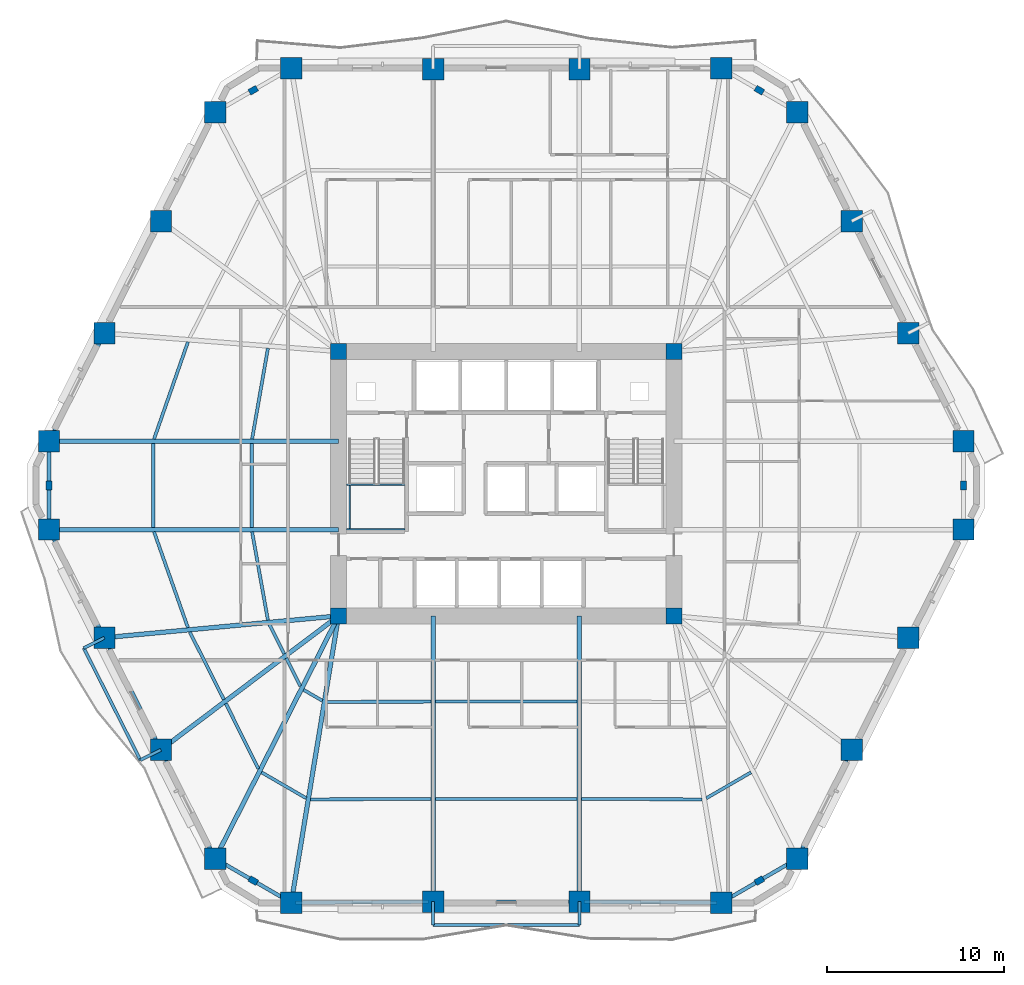
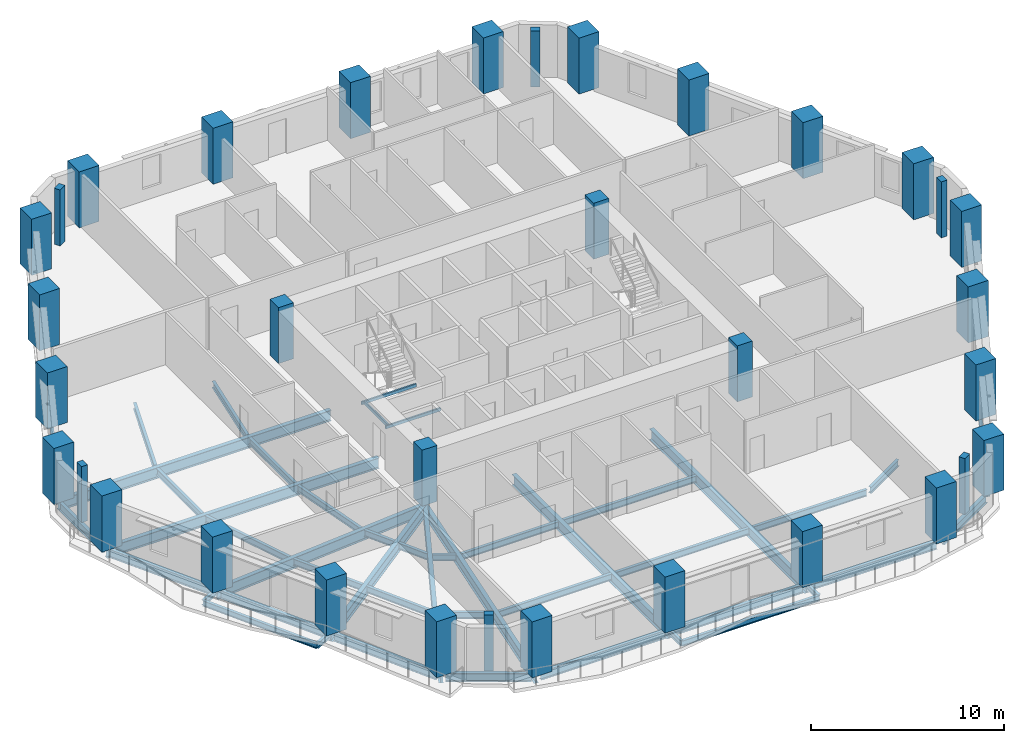
# One storey, part 1 of 13: 46 beams, 34 columns.
"""IFC4 building model written with IfcOpenShell, lengths in metres."""

from ifc_helpers import new_model, si_unit, direction, frame, origin, origin_2d, place, context, subcontext, project, spatial, rectangle, hollow_rectangle, i_section, extrude, material, material_profile, profile_set, type_object, element, save


model = new_model("IFC4")

# Units and contexts
model_context = context("Model", 3, precision=1e-05, world=origin(), true_north=direction((0.0, 1.0)))
body_context = subcontext(model_context, "Body", "Model", "MODEL_VIEW")
ifc_project = project(units=[si_unit("LENGTHUNIT", "METRE"), si_unit("AREAUNIT", "SQUARE_METRE"), si_unit("VOLUMEUNIT", "CUBIC_METRE"), si_unit("PLANEANGLEUNIT", "RADIAN"), si_unit("MASSUNIT", "GRAM", prefix="KILO")], contexts=[model_context])

# Site, building, storey
site_placement = place(None, origin())
site = spatial("IfcSite", under=ifc_project, at=site_placement, CompositionType="ELEMENT")
building_placement = place(site_placement, origin())
building = spatial("IfcBuilding", under=site, at=building_placement, Name="Cinnabar Lancet Tower", CompositionType="ELEMENT")
storey_placement = place(building_placement, frame((0.0, 0.0, 63.949951171875)))
storey = spatial("IfcBuildingStorey", under=building, at=storey_placement, Name="L16", CompositionType="ELEMENT", Elevation=63.949951171875)

# Columns
ifc_material_1 = material(Name="Concrete C80/95", Category="concrete")
ifc_material_profile_1 = material_profile(ifc_material_1, rectangle(XDim=0.89990234375, YDim=0.89990234375, at=origin_2d()), Name="RC-COL 900x900")
ifc_profile_set_1 = profile_set([ifc_material_profile_1], Name="Concrete C80/95")
column_type_1 = type_object("IfcColumnType", Name="STR-COL-CORE-900", PredefinedType="COLUMN", material=ifc_profile_set_1)
for number, where, z_axis, x_axis, name in (
    (1, (22.949951171875, 18.449951171875, 0.0), (0.0, 0.0, 1.0), (1.0, 0.0, 0.0), "L16 Core Corner Column SW"),
    (2, (41.85009765625, 18.449951171875, 0.0), (0.0, 0.0, 1.0), (1.0, 0.0, 0.0), "L16 Core Corner Column SE"),
    (3, (41.85009765625, 33.35009765625, 0.0), (0.0, 0.0, 1.0), (1.0, 0.0, 0.0), "L16 Core Corner Column NE"),
    (4, (22.949951171875, 33.35009765625, 0.0), (0.0, 0.0, 1.0), (1.0, 0.0, 0.0), "L16 Core Corner Column NW"),
):
    element("IfcColumn", number, at=place(storey_placement, frame(where, z_axis=z_axis, x_axis=x_axis)), inside=storey, type_object=column_type_1, Name=name, PredefinedType="COLUMN", context=body_context, shape_type="SweptSolid", body=[
        extrude(rectangle(XDim=0.89990234375, YDim=0.89990234375, at=origin_2d()), origin(), (0.0, 0.0, 1.0), 3.550048828125),
    ])
ifc_material_2 = material(Name="Concrete C60/75", Category="concrete")
ifc_material_profile_2 = material_profile(ifc_material_2, rectangle(XDim=0.5, YDim=0.35009765625, at=origin_2d()), Name="RC-PIL 500x350")
ifc_profile_set_2 = profile_set([ifc_material_profile_2], Name="Concrete C60/75")
column_type_2 = type_object("IfcColumnType", Name="STR-COL-PIL-500", PredefinedType="PILASTER", material=ifc_profile_set_2)
for number, where, z_axis, x_axis, name in (
    (5, (18.139892578125, 3.531005859375, 0.0), (0.0, 0.0, 1.0), (0.865195182343, -0.501435236546, 0.0), "L16 Chamfered Corner Pilaster 1"),
    (6, (46.659912109375, 3.531005859375, 0.0), (0.0, 0.0, 1.0), (0.865195182343, 0.501435236546, 0.0), "L16 Chamfered Corner Pilaster 2"),
    (7, (58.16796875, 25.800048828125, 0.0), (0.0, 0.0, 1.0), (0.0, 1.0, 0.0), "L16 Chamfered Corner Pilaster 3"),
    (8, (46.659912109375, 48.069091796875, 0.0), (0.0, 0.0, 1.0), (-0.865195182343, 0.501435236546, 0.0), "L16 Chamfered Corner Pilaster 4"),
    (9, (18.139892578125, 48.069091796875, 0.0), (0.0, 0.0, 1.0), (-0.865195182343, -0.501435236546, 0.0), "L16 Chamfered Corner Pilaster 5"),
    (10, (6.632080078125, 25.800048828125, 0.0), (0.0, 0.0, 1.0), (0.0, -1.0, 0.0), "L16 Chamfered Corner Pilaster 6"),
):
    element("IfcColumn", number, at=place(storey_placement, frame(where, z_axis=z_axis, x_axis=x_axis)), inside=storey, type_object=column_type_2, Name=name, PredefinedType="PILASTER", context=body_context, shape_type="SweptSolid", body=[
        extrude(rectangle(XDim=0.5, YDim=0.35009765625, at=origin_2d()), origin(), (0.0, 0.0, 1.0), 3.550048828125),
    ])
ifc_material_3 = material(Name="Concrete C80/95", Category="concrete")
ifc_material_profile_3 = material_profile(ifc_material_3, rectangle(XDim=1.199951171875, YDim=1.199951171875, at=origin_2d()), Name="RC-COL 1200x1200")
ifc_profile_set_3 = profile_set([ifc_material_profile_3], Name="Concrete C80/95")
column_type_3 = type_object("IfcColumnType", Name="STR-COL-TUBE-1200", PredefinedType="COLUMN", material=ifc_profile_set_3)
for number, where, z_axis, x_axis, name in (
    (11, (20.282958984375, 2.2890625, 0.0), (0.0, 0.0, 1.0), (1.0, 0.0, 0.0), "L16 Perimeter Tube Column 1"),
    (12, (28.278076171875, 2.342041015625, 0.0), (0.0, 0.0, 1.0), (1.0, 0.0, 0.0), "L16 Perimeter Tube Column 2"),
    (13, (36.52197265625, 2.342041015625, 0.0), (0.0, 0.0, 1.0), (1.0, 0.0, 0.0), "L16 Perimeter Tube Column 3"),
    (14, (44.51708984375, 2.2890625, 0.0), (0.0, 0.0, 1.0), (1.0, 0.0, 0.0), "L16 Perimeter Tube Column 4"),
    (15, (48.802978515625, 4.77294921875, 0.0), (0.0, 0.0, 1.0), (1.0, 0.0, 0.0), "L16 Perimeter Tube Column 5"),
    (16, (51.85888671875, 10.908935546875, 0.0), (0.0, 0.0, 1.0), (1.0, 0.0, 0.0), "L16 Perimeter Tube Column 6"),
    (17, (55.0458984375, 17.219970703125, 0.0), (0.0, 0.0, 1.0), (1.0, 0.0, 0.0), "L16 Perimeter Tube Column 7"),
    (18, (58.16796875, 23.31396484375, 0.0), (0.0, 0.0, 1.0), (1.0, 0.0, 0.0), "L16 Perimeter Tube Column 8"),
    (19, (58.16796875, 28.285888671875, 0.0), (0.0, 0.0, 1.0), (1.0, 0.0, 0.0), "L16 Perimeter Tube Column 9"),
    (20, (55.0458984375, 34.3798828125, 0.0), (0.0, 0.0, 1.0), (1.0, 0.0, 0.0), "L16 Perimeter Tube Column 10"),
    (21, (51.85888671875, 40.69091796875, 0.0), (0.0, 0.0, 1.0), (1.0, 0.0, 0.0), "L16 Perimeter Tube Column 11"),
    (22, (48.802978515625, 46.826904296875, 0.0), (0.0, 0.0, 1.0), (1.0, 0.0, 0.0), "L16 Perimeter Tube Column 12"),
    (23, (44.51708984375, 49.31103515625, 0.0), (0.0, 0.0, 1.0), (1.0, 0.0, 0.0), "L16 Perimeter Tube Column 13"),
    (24, (36.52197265625, 49.258056640625, 0.0), (0.0, 0.0, 1.0), (1.0, 0.0, 0.0), "L16 Perimeter Tube Column 14"),
    (25, (28.278076171875, 49.258056640625, 0.0), (0.0, 0.0, 1.0), (1.0, 0.0, 0.0), "L16 Perimeter Tube Column 15"),
    (26, (20.282958984375, 49.31103515625, 0.0), (0.0, 0.0, 1.0), (1.0, 0.0, 0.0), "L16 Perimeter Tube Column 16"),
    (27, (15.9970703125, 46.826904296875, 0.0), (0.0, 0.0, 1.0), (1.0, 0.0, 0.0), "L16 Perimeter Tube Column 17"),
    (28, (12.94091796875, 40.69091796875, 0.0), (0.0, 0.0, 1.0), (1.0, 0.0, 0.0), "L16 Perimeter Tube Column 18"),
    (29, (9.75390625, 34.3798828125, 0.0), (0.0, 0.0, 1.0), (1.0, 0.0, 0.0), "L16 Perimeter Tube Column 19"),
    (30, (6.632080078125, 28.285888671875, 0.0), (0.0, 0.0, 1.0), (1.0, 0.0, 0.0), "L16 Perimeter Tube Column 20"),
    (31, (6.632080078125, 23.31396484375, 0.0), (0.0, 0.0, 1.0), (1.0, 0.0, 0.0), "L16 Perimeter Tube Column 21"),
    (32, (9.75390625, 17.219970703125, 0.0), (0.0, 0.0, 1.0), (1.0, 0.0, 0.0), "L16 Perimeter Tube Column 22"),
    (33, (12.94091796875, 10.908935546875, 0.0), (0.0, 0.0, 1.0), (1.0, 0.0, 0.0), "L16 Perimeter Tube Column 23"),
    (34, (15.9970703125, 4.77294921875, 0.0), (0.0, 0.0, 1.0), (1.0, 0.0, 0.0), "L16 Perimeter Tube Column 24"),
):
    element("IfcColumn", number, at=place(storey_placement, frame(where, z_axis=z_axis, x_axis=x_axis)), inside=storey, type_object=column_type_3, Name=name, PredefinedType="COLUMN", context=body_context, shape_type="SweptSolid", body=[
        extrude(rectangle(XDim=1.199951171875, YDim=1.199951171875, at=origin_2d()), origin(), (0.0, 0.0, 1.0), 3.550048828125),
    ])

# Beams
ifc_material_4 = material(Name="Structural steel S355", Category="steel")
ifc_material_profile_4 = material_profile(ifc_material_4, i_section(OverallWidth=0.177978515625, OverallDepth=0.406494140625, WebThickness=0.0078125, FlangeThickness=0.0126953125, FilletRadius=0.01025390625, at=origin_2d()), Name="UKB 406x178x60")
ifc_profile_set_4 = profile_set([ifc_material_profile_4], Name="Structural steel S355")
beam_type_1 = type_object("IfcBeamType", Name="STR-BM-JST-406", PredefinedType="JOIST", material=ifc_profile_set_4)
beam_1_placement = place(storey_placement, frame((12.551025390625, 23.18701171875, -0.4228515625), z_axis=(0.333384030214, -0.942791115995, 0.0), x_axis=(0.942791115995, 0.333384030214, 0.0)))
element("IfcBeam", 35, at=beam_1_placement, inside=storey, type_object=beam_type_1, Name="L16 Secondary Floor Joist 1", PredefinedType="JOIST", context=body_context, shape_type="SweptSolid", body=[
    extrude(i_section(OverallWidth=0.177978515625, OverallDepth=0.406494140625, WebThickness=0.0078125, FlangeThickness=0.0126953125, FilletRadius=0.01025390625, at=origin_2d()), origin(), (0.0, 0.0, 1.0), 5.728759765625),
])
beam_2_placement = place(storey_placement, frame((18.076904296875, 23.18701171875, -0.4228515625), z_axis=(0.176294913937, -0.984337393031, 0.0), x_axis=(0.984337393031, 0.176294913937, 0.0)))
element("IfcBeam", 36, at=beam_2_placement, inside=storey, type_object=beam_type_1, Name="L16 Secondary Floor Joist 2", PredefinedType="JOIST", context=body_context, shape_type="SweptSolid", body=[
    extrude(i_section(OverallWidth=0.177978515625, OverallDepth=0.406494140625, WebThickness=0.0078125, FlangeThickness=0.0126953125, FilletRadius=0.01025390625, at=origin_2d()), origin(), (0.0, 0.0, 1.0), 5.060302734375),
])
beam_3_placement = place(storey_placement, frame((14.56591796875, 17.541015625, -0.4228515625), z_axis=(0.450809572228, -0.892620148545, 0.0), x_axis=(0.892620148545, 0.450809572228, 0.0)))
element("IfcBeam", 37, at=beam_3_placement, inside=storey, type_object=beam_type_1, Name="L16 Secondary Floor Joist 3", PredefinedType="JOIST", context=body_context, shape_type="SweptSolid", body=[
    extrude(i_section(OverallWidth=0.177978515625, OverallDepth=0.406494140625, WebThickness=0.0078125, FlangeThickness=0.0126953125, FilletRadius=0.01025390625, at=origin_2d()), origin(), (0.0, 0.0, 1.0), 4.25927734375),
])
beam_4_placement = place(storey_placement, frame((19.052978515625, 17.958984375, -0.4228515625), z_axis=(0.450632179195, -0.892709717139, 0.0), x_axis=(0.892709717139, 0.450632179195, 0.0)))
element("IfcBeam", 38, at=beam_4_placement, inside=storey, type_object=beam_type_1, Name="L16 Secondary Floor Joist 4", PredefinedType="JOIST", context=body_context, shape_type="SweptSolid", body=[
    extrude(i_section(OverallWidth=0.177978515625, OverallDepth=0.406494140625, WebThickness=0.0078125, FlangeThickness=0.0126953125, FilletRadius=0.01025390625, at=origin_2d()), origin(), (0.0, 0.0, 1.0), 1.85498046875),
])
beam_5_placement = place(storey_placement, frame((16.60205078125, 13.508056640625, -0.4228515625), z_axis=(0.445807799253, -0.895128709251, 0.0), x_axis=(0.895128709251, 0.445807799253, 0.0)))
element("IfcBeam", 39, at=beam_5_placement, inside=storey, type_object=beam_type_1, Name="L16 Secondary Floor Joist 5", PredefinedType="JOIST", context=body_context, shape_type="SweptSolid", body=[
    extrude(i_section(OverallWidth=0.177978515625, OverallDepth=0.406494140625, WebThickness=0.0078125, FlangeThickness=0.0126953125, FilletRadius=0.01025390625, at=origin_2d()), origin(), (0.0, 0.0, 1.0), 4.10009765625),
])
beam_6_placement = place(storey_placement, frame((20.0048828125, 16.072021484375, -0.4228515625), z_axis=(0.445888683384, -0.895088421347, 0.0), x_axis=(0.895088421347, 0.445888683384, 0.0)))
element("IfcBeam", 40, at=beam_6_placement, inside=storey, type_object=beam_type_1, Name="L16 Secondary Floor Joist 6", PredefinedType="JOIST", context=body_context, shape_type="SweptSolid", body=[
    extrude(i_section(OverallWidth=0.177978515625, OverallDepth=0.406494140625, WebThickness=0.0078125, FlangeThickness=0.0126953125, FilletRadius=0.01025390625, at=origin_2d()), origin(), (0.0, 0.0, 1.0), 1.76953125),
])
beam_7_placement = place(storey_placement, frame((18.610107421875, 9.633056640625, -0.4228515625), z_axis=(0.865209684948, -0.501410212373, 0.0), x_axis=(0.501410212373, 0.865209684948, 0.0)))
element("IfcBeam", 41, at=beam_7_placement, inside=storey, type_object=beam_type_1, Name="L16 Secondary Floor Joist 7", PredefinedType="JOIST", context=body_context, shape_type="SweptSolid", body=[
    extrude(i_section(OverallWidth=0.177978515625, OverallDepth=0.406494140625, WebThickness=0.0078125, FlangeThickness=0.0126953125, FilletRadius=0.01025390625, at=origin_2d()), origin(), (0.0, 0.0, 1.0), 2.90771484375),
])
beam_8_placement = place(storey_placement, frame((20.97412109375, 14.282958984375, -0.4228515625), z_axis=(0.865417177575, -0.50105200205, 0.0), x_axis=(0.50105200205, 0.865417177575, 0.0)))
element("IfcBeam", 42, at=beam_8_placement, inside=storey, type_object=beam_type_1, Name="L16 Secondary Floor Joist 8", PredefinedType="JOIST", context=body_context, shape_type="SweptSolid", body=[
    extrude(i_section(OverallWidth=0.177978515625, OverallDepth=0.406494140625, WebThickness=0.0078125, FlangeThickness=0.0126953125, FilletRadius=0.01025390625, at=origin_2d()), origin(), (0.0, 0.0, 1.0), 1.223388671875),
])
beam_9_placement = place(storey_placement, frame((21.3720703125, 8.10791015625, -0.4228515625), z_axis=(0.999988870422, 0.004717947923, 0.0), x_axis=(-0.004717947923, 0.999988870422, 0.0)))
element("IfcBeam", 43, at=beam_9_placement, inside=storey, type_object=beam_type_1, Name="L16 Secondary Floor Joist 9", PredefinedType="JOIST", context=body_context, shape_type="SweptSolid", body=[
    extrude(i_section(OverallWidth=0.177978515625, OverallDepth=0.406494140625, WebThickness=0.0078125, FlangeThickness=0.0126953125, FilletRadius=0.01025390625, at=origin_2d()), origin(), (0.0, 0.0, 1.0), 6.77880859375),
])
beam_10_placement = place(storey_placement, frame((22.279052734375, 13.60205078125, -0.4228515625), z_axis=(0.999996783665, 0.00253626892, 0.0), x_axis=(-0.00253626892, 0.999996783665, 0.0)))
element("IfcBeam", 44, at=beam_10_placement, inside=storey, type_object=beam_type_1, Name="L16 Secondary Floor Joist 10", PredefinedType="JOIST", context=body_context, shape_type="SweptSolid", body=[
    extrude(i_section(OverallWidth=0.177978515625, OverallDepth=0.406494140625, WebThickness=0.0078125, FlangeThickness=0.0126953125, FilletRadius=0.01025390625, at=origin_2d()), origin(), (0.0, 0.0, 1.0), 5.871826171875),
])
for number, where, z_axis, x_axis, name in (
    (45, (28.405029296875, 8.14111328125, -0.4228515625), (1.0, 0.0, 0.0), (0.0, 1.0, 0.0), "L16 Secondary Floor Joist 11"),
    (46, (28.405029296875, 13.617919921875, -0.4228515625), (1.0, 0.0, 0.0), (0.0, 1.0, 0.0), "L16 Secondary Floor Joist 12"),
):
    element("IfcBeam", number, at=place(storey_placement, frame(where, z_axis=z_axis, x_axis=x_axis)), inside=storey, type_object=beam_type_1, Name=name, PredefinedType="JOIST", context=body_context, shape_type="SweptSolid", body=[
        extrude(i_section(OverallWidth=0.177978515625, OverallDepth=0.406494140625, WebThickness=0.0078125, FlangeThickness=0.0126953125, FilletRadius=0.01025390625, at=origin_2d()), origin(), (0.0, 0.0, 1.0), 7.989990234375),
    ])
beam_11_placement = place(storey_placement, frame((36.64892578125, 8.139892578125, -0.4228515625), z_axis=(0.999988871223, -0.004717778015, 0.0), x_axis=(0.004717778015, 0.999988871223, 0.0)))
element("IfcBeam", 47, at=beam_11_placement, inside=storey, type_object=beam_type_1, Name="L16 Secondary Floor Joist 13", PredefinedType="JOIST", context=body_context, shape_type="SweptSolid", body=[
    extrude(i_section(OverallWidth=0.177978515625, OverallDepth=0.406494140625, WebThickness=0.0078125, FlangeThickness=0.0126953125, FilletRadius=0.01025390625, at=origin_2d()), origin(), (0.0, 0.0, 1.0), 6.779052734375),
])
beam_12_placement = place(storey_placement, frame((43.674072265625, 8.175048828125, -0.4228515625), z_axis=(0.865209684948, 0.501410212373, 0.0), x_axis=(-0.501410212373, 0.865209684948, 0.0)))
element("IfcBeam", 48, at=beam_12_placement, inside=storey, type_object=beam_type_1, Name="L16 Secondary Floor Joist 15", PredefinedType="JOIST", context=body_context, shape_type="SweptSolid", body=[
    extrude(i_section(OverallWidth=0.177978515625, OverallDepth=0.406494140625, WebThickness=0.0078125, FlangeThickness=0.0126953125, FilletRadius=0.01025390625, at=origin_2d()), origin(), (0.0, 0.0, 1.0), 2.90771484375),
])
beam_13_placement = place(storey_placement, frame((14.4609375, 33.885009765625, -0.4228515625), z_axis=(-0.329541584143, -0.944141061664, 0.0), x_axis=(0.944141061664, -0.329541584143, 0.0)))
element("IfcBeam", 49, at=beam_13_placement, inside=storey, type_object=beam_type_1, Name="L16 Secondary Floor Joist 45", PredefinedType="JOIST", context=body_context, shape_type="SweptSolid", body=[
    extrude(i_section(OverallWidth=0.177978515625, OverallDepth=0.406494140625, WebThickness=0.0078125, FlangeThickness=0.0126953125, FilletRadius=0.01025390625, at=origin_2d()), origin(), (0.0, 0.0, 1.0), 5.795654296875),
])
beam_14_placement = place(storey_placement, frame((18.968994140625, 33.532958984375, -0.4228515625), z_axis=(-0.17165440437, -0.985157228802, 0.0), x_axis=(0.985157228802, -0.17165440437, 0.0)))
element("IfcBeam", 50, at=beam_14_placement, inside=storey, type_object=beam_type_1, Name="L16 Secondary Floor Joist 46", PredefinedType="JOIST", context=body_context, shape_type="SweptSolid", body=[
    extrude(i_section(OverallWidth=0.177978515625, OverallDepth=0.406494140625, WebThickness=0.0078125, FlangeThickness=0.0126953125, FilletRadius=0.01025390625, at=origin_2d()), origin(), (0.0, 0.0, 1.0), 5.197021484375),
])
for number, where, z_axis, x_axis, name in (
    (51, (12.506103515625, 28.158935546875, -0.4228515625), (0.0, -1.0, 0.0), (1.0, 0.0, 0.0), "L16 Secondary Floor Joist 47"),
    (52, (18.054931640625, 28.158935546875, -0.4228515625), (0.0, -1.0, 0.0), (1.0, 0.0, 0.0), "L16 Secondary Floor Joist 48"),
):
    element("IfcBeam", number, at=place(storey_placement, frame(where, z_axis=z_axis, x_axis=x_axis)), inside=storey, type_object=beam_type_1, Name=name, PredefinedType="JOIST", context=body_context, shape_type="SweptSolid", body=[
        extrude(i_section(OverallWidth=0.177978515625, OverallDepth=0.406494140625, WebThickness=0.0078125, FlangeThickness=0.0126953125, FilletRadius=0.01025390625, at=origin_2d()), origin(), (0.0, 0.0, 1.0), 4.718017578125),
    ])
ifc_material_5 = material(Name="Structural steel S355", Category="steel")
ifc_material_profile_5 = material_profile(ifc_material_5, hollow_rectangle(XDim=0.10009765625, YDim=0.199951171875, WallThickness=0.008056640625, InnerFilletRadius=0.00390625, OuterFilletRadius=0.011962890625, at=origin_2d()), Name="RHS 200x100x8")
ifc_profile_set_5 = profile_set([ifc_material_profile_5], Name="Structural steel S355")
beam_type_2 = type_object("IfcBeamType", Name="STR-BM-LND-203", PredefinedType="BEAM", material=ifc_profile_set_5)
for number, where, z_axis, x_axis, name in (
    (53, (23.39990234375, 23.330078125, 1.47509765625), (1.0, 0.0, 0.0), (0.0, 1.0, 0.0), "L16 ST-1-L16 Landing Support Beam S"),
    (54, (23.39990234375, 25.844970703125, 1.47509765625), (1.0, 0.0, 0.0), (0.0, 1.0, 0.0), "L16 ST-1-L16 Landing Support Beam N"),
):
    element("IfcBeam", number, at=place(storey_placement, frame(where, z_axis=z_axis, x_axis=x_axis)), inside=storey, type_object=beam_type_2, Name=name, PredefinedType="BEAM", context=body_context, shape_type="SweptSolid", body=[
        extrude(hollow_rectangle(XDim=0.10009765625, YDim=0.199951171875, WallThickness=0.008056640625, InnerFilletRadius=0.00390625, OuterFilletRadius=0.011962890625, at=origin_2d()), origin(), (0.0, 0.0, 1.0), 3.280029296875),
    ])
beam_15_placement = place(storey_placement, frame((23.580078125, 23.3798828125, 1.47509765625), z_axis=(0.0, 1.0, 0.0), x_axis=(-1.0, 0.0, 0.0)))
element("IfcBeam", 55, at=beam_15_placement, inside=storey, type_object=beam_type_2, Name="L16 ST-1-L16 Landing Side Trimmer Beam", PredefinedType="BEAM", context=body_context, shape_type="SweptSolid", body=[
    extrude(hollow_rectangle(XDim=0.10009765625, YDim=0.199951171875, WallThickness=0.008056640625, InnerFilletRadius=0.00390625, OuterFilletRadius=0.011962890625, at=origin_2d()), origin(), (0.0, 0.0, 1.0), 2.4150390625),
])
ifc_material_6 = material(Name="Structural steel S355", Category="steel")
ifc_material_profile_6 = material_profile(ifc_material_6, i_section(OverallWidth=0.209228515625, OverallDepth=0.533203125, WebThickness=0.010009765625, FlangeThickness=0.015625, FilletRadius=0.0126953125, at=origin_2d()), Name="UKB 533x210x92")
ifc_profile_set_6 = profile_set([ifc_material_profile_6], Name="Structural steel S355")
beam_type_3 = type_object("IfcBeamType", Name="STR-BM-SPN-533", PredefinedType="SPANDREL", material=ifc_profile_set_6)
beam_16_placement = place(storey_placement, frame((20.532958984375, 2.291015625, -0.487060546875), z_axis=(0.99997856757, 0.006547090947, 0.0), x_axis=(-0.006547090947, 0.99997856757, 0.0)))
element("IfcBeam", 56, at=beam_16_placement, inside=storey, type_object=beam_type_3, Name="L16 Perimeter Spandrel 1", PredefinedType="SPANDREL", context=body_context, shape_type="SweptSolid", body=[
    extrude(i_section(OverallWidth=0.209228515625, OverallDepth=0.533203125, WebThickness=0.010009765625, FlangeThickness=0.015625, FilletRadius=0.0126953125, at=origin_2d()), origin(), (0.0, 0.0, 1.0), 7.495361328125),
])
beam_17_placement = place(storey_placement, frame((28.528076171875, 2.342041015625, -0.487060546875), z_axis=(1.0, 0.0, 0.0), x_axis=(0.0, 1.0, 0.0)))
element("IfcBeam", 57, at=beam_17_placement, inside=storey, type_object=beam_type_3, Name="L16 Perimeter Spandrel 2", PredefinedType="SPANDREL", context=body_context, shape_type="SweptSolid", body=[
    extrude(i_section(OverallWidth=0.209228515625, OverallDepth=0.533203125, WebThickness=0.010009765625, FlangeThickness=0.015625, FilletRadius=0.0126953125, at=origin_2d()), origin(), (0.0, 0.0, 1.0), 7.743896484375),
])
beam_18_placement = place(storey_placement, frame((36.77197265625, 2.340087890625, -0.487060546875), z_axis=(0.99997856757, -0.006547090947, 0.0), x_axis=(0.006547090947, 0.99997856757, 0.0)))
element("IfcBeam", 58, at=beam_18_placement, inside=storey, type_object=beam_type_3, Name="L16 Perimeter Spandrel 3", PredefinedType="SPANDREL", context=body_context, shape_type="SweptSolid", body=[
    extrude(i_section(OverallWidth=0.209228515625, OverallDepth=0.533203125, WebThickness=0.010009765625, FlangeThickness=0.015625, FilletRadius=0.0126953125, at=origin_2d()), origin(), (0.0, 0.0, 1.0), 7.495361328125),
])
beam_19_placement = place(storey_placement, frame((44.73291015625, 2.4140625, -0.487060546875), z_axis=(0.865171017323, 0.501476929463, 0.0), x_axis=(-0.501476929463, 0.865171017323, 0.0)))
element("IfcBeam", 59, at=beam_19_placement, inside=storey, type_object=beam_type_3, Name="L16 Perimeter Spandrel 4", PredefinedType="SPANDREL", context=body_context, shape_type="SweptSolid", body=[
    extrude(i_section(OverallWidth=0.209228515625, OverallDepth=0.533203125, WebThickness=0.010009765625, FlangeThickness=0.015625, FilletRadius=0.0126953125, at=origin_2d()), origin(), (0.0, 0.0, 1.0), 4.45458984375),
])
beam_20_placement = place(storey_placement, frame((48.9140625, 4.9970703125, -0.487060546875), z_axis=(0.445953050023, 0.89505635419, 0.0), x_axis=(-0.89505635419, 0.445953050023, 0.0)))
element("IfcBeam", 60, at=beam_20_placement, inside=storey, type_object=beam_type_3, Name="L16 Perimeter Spandrel 5", PredefinedType="SPANDREL", context=body_context, shape_type="SweptSolid", body=[
    extrude(i_section(OverallWidth=0.209228515625, OverallDepth=0.533203125, WebThickness=0.010009765625, FlangeThickness=0.015625, FilletRadius=0.0126953125, at=origin_2d()), origin(), (0.0, 0.0, 1.0), 6.35498046875),
])
beam_21_placement = place(storey_placement, frame((9.639892578125, 34.156982421875, -0.487060546875), z_axis=(-0.455994051912, -0.889982822655, 0.0), x_axis=(0.889982822655, -0.455994051912, 0.0)))
element("IfcBeam", 61, at=beam_21_placement, inside=storey, type_object=beam_type_3, Name="L16 Perimeter Spandrel 19", PredefinedType="SPANDREL", context=body_context, shape_type="SweptSolid", body=[
    extrude(i_section(OverallWidth=0.209228515625, OverallDepth=0.533203125, WebThickness=0.010009765625, FlangeThickness=0.015625, FilletRadius=0.0126953125, at=origin_2d()), origin(), (0.0, 0.0, 1.0), 6.34619140625),
])
beam_22_placement = place(storey_placement, frame((6.632080078125, 28.035888671875, -0.487060546875), z_axis=(0.0, -1.0, 0.0), x_axis=(1.0, 0.0, 0.0)))
element("IfcBeam", 62, at=beam_22_placement, inside=storey, type_object=beam_type_3, Name="L16 Perimeter Spandrel 20", PredefinedType="SPANDREL", context=body_context, shape_type="SweptSolid", body=[
    extrude(i_section(OverallWidth=0.209228515625, OverallDepth=0.533203125, WebThickness=0.010009765625, FlangeThickness=0.015625, FilletRadius=0.0126953125, at=origin_2d()), origin(), (0.0, 0.0, 1.0), 4.471923828125),
])
beam_23_placement = place(storey_placement, frame((6.74609375, 23.091064453125, -0.487060546875), z_axis=(0.455994051912, -0.889982822655, 0.0), x_axis=(0.889982822655, 0.455994051912, 0.0)))
element("IfcBeam", 63, at=beam_23_placement, inside=storey, type_object=beam_type_3, Name="L16 Perimeter Spandrel 21", PredefinedType="SPANDREL", context=body_context, shape_type="SweptSolid", body=[
    extrude(i_section(OverallWidth=0.209228515625, OverallDepth=0.533203125, WebThickness=0.010009765625, FlangeThickness=0.015625, FilletRadius=0.0126953125, at=origin_2d()), origin(), (0.0, 0.0, 1.0), 6.34619140625),
])
beam_24_placement = place(storey_placement, frame((9.866943359375, 16.9970703125, -0.487060546875), z_axis=(0.450673532306, -0.892688841242, 0.0), x_axis=(0.892688841242, 0.450673532306, 0.0)))
element("IfcBeam", 64, at=beam_24_placement, inside=storey, type_object=beam_type_3, Name="L16 Perimeter Spandrel 22", PredefinedType="SPANDREL", context=body_context, shape_type="SweptSolid", body=[
    extrude(i_section(OverallWidth=0.209228515625, OverallDepth=0.533203125, WebThickness=0.010009765625, FlangeThickness=0.015625, FilletRadius=0.0126953125, at=origin_2d()), origin(), (0.0, 0.0, 1.0), 6.570068359375),
])
beam_25_placement = place(storey_placement, frame((13.052001953125, 10.68505859375, -0.487060546875), z_axis=(0.445953050023, -0.89505635419, 0.0), x_axis=(0.89505635419, 0.445953050023, 0.0)))
element("IfcBeam", 65, at=beam_25_placement, inside=storey, type_object=beam_type_3, Name="L16 Perimeter Spandrel 23", PredefinedType="SPANDREL", context=body_context, shape_type="SweptSolid", body=[
    extrude(i_section(OverallWidth=0.209228515625, OverallDepth=0.533203125, WebThickness=0.010009765625, FlangeThickness=0.015625, FilletRadius=0.0126953125, at=origin_2d()), origin(), (0.0, 0.0, 1.0), 6.35498046875),
])
beam_26_placement = place(storey_placement, frame((16.212890625, 4.64794921875, -0.487060546875), z_axis=(0.865171017323, -0.501476929463, 0.0), x_axis=(0.501476929463, 0.865171017323, 0.0)))
element("IfcBeam", 66, at=beam_26_placement, inside=storey, type_object=beam_type_3, Name="L16 Perimeter Spandrel 24", PredefinedType="SPANDREL", context=body_context, shape_type="SweptSolid", body=[
    extrude(i_section(OverallWidth=0.209228515625, OverallDepth=0.533203125, WebThickness=0.010009765625, FlangeThickness=0.015625, FilletRadius=0.0126953125, at=origin_2d()), origin(), (0.0, 0.0, 1.0), 4.45458984375),
])
ifc_material_7 = material(Name="Structural steel S355", Category="steel")
ifc_material_profile_7 = material_profile(ifc_material_7, i_section(OverallWidth=0.253662109375, OverallDepth=0.68359375, WebThickness=0.012451171875, FlangeThickness=0.01904296875, FilletRadius=0.01513671875, at=origin_2d()), Name="UKB 686x254x140")
ifc_profile_set_7 = profile_set([ifc_material_profile_7], Name="Structural steel S355")
beam_type_4 = type_object("IfcBeamType", Name="STR-BM-UKB686-140", PredefinedType="BEAM", material=ifc_profile_set_7)
beam_27_placement = place(storey_placement, frame((12.94091796875, 10.908935546875, -0.56201171875), z_axis=(0.798686588468, 0.601747233812, 0.0), x_axis=(-0.601747233812, 0.798686588468, 0.0)))
element("IfcBeam", 67, at=beam_27_placement, inside=storey, type_object=beam_type_4, Name="L16 Corner Collector Girder 1", PredefinedType="BEAM", context=body_context, shape_type="SweptSolid", body=[
    extrude(i_section(OverallWidth=0.253662109375, OverallDepth=0.68359375, WebThickness=0.012451171875, FlangeThickness=0.01904296875, FilletRadius=0.01513671875, at=origin_2d()), origin(), (0.0, 0.0, 1.0), 12.531982421875),
])
beam_28_placement = place(storey_placement, frame((20.282958984375, 2.2890625, -0.56201171875), z_axis=(0.162825264118, 0.986654921117, 0.0), x_axis=(-0.986654921117, 0.162825264118, 0.0)))
element("IfcBeam", 68, at=beam_28_placement, inside=storey, type_object=beam_type_4, Name="L16 Primary Floor Girder 1", PredefinedType="BEAM", context=body_context, shape_type="SweptSolid", body=[
    extrude(i_section(OverallWidth=0.253662109375, OverallDepth=0.68359375, WebThickness=0.012451171875, FlangeThickness=0.01904296875, FilletRadius=0.01513671875, at=origin_2d()), origin(), (0.0, 0.0, 1.0), 16.37939453125),
])
for number, where, z_axis, x_axis, name in (
    (69, (28.278076171875, 2.342041015625, -0.56201171875), (0.0, 1.0, 0.0), (-1.0, 0.0, 0.0), "L16 Primary Floor Girder 2"),
    (70, (36.52197265625, 2.342041015625, -0.56201171875), (0.0, 1.0, 0.0), (-1.0, 0.0, 0.0), "L16 Primary Floor Girder 3"),
):
    element("IfcBeam", number, at=place(storey_placement, frame(where, z_axis=z_axis, x_axis=x_axis)), inside=storey, type_object=beam_type_4, Name=name, PredefinedType="BEAM", context=body_context, shape_type="SweptSolid", body=[
        extrude(i_section(OverallWidth=0.253662109375, OverallDepth=0.68359375, WebThickness=0.012451171875, FlangeThickness=0.01904296875, FilletRadius=0.01513671875, at=origin_2d()), origin(), (0.0, 0.0, 1.0), 16.10791015625),
    ])
for number, where, z_axis, x_axis, name in (
    (71, (6.632080078125, 28.285888671875, -0.56201171875), (1.0, 0.0, 0.0), (0.0, 1.0, 0.0), "L16 Primary Floor Girder 20"),
    (72, (6.632080078125, 23.31396484375, -0.56201171875), (1.0, 0.0, 0.0), (0.0, 1.0, 0.0), "L16 Primary Floor Girder 21"),
):
    element("IfcBeam", number, at=place(storey_placement, frame(where, z_axis=z_axis, x_axis=x_axis)), inside=storey, type_object=beam_type_4, Name=name, PredefinedType="BEAM", context=body_context, shape_type="SweptSolid", body=[
        extrude(i_section(OverallWidth=0.253662109375, OverallDepth=0.68359375, WebThickness=0.012451171875, FlangeThickness=0.01904296875, FilletRadius=0.01513671875, at=origin_2d()), origin(), (0.0, 0.0, 1.0), 16.31787109375),
    ])
beam_29_placement = place(storey_placement, frame((9.75390625, 17.219970703125, -0.56201171875), z_axis=(0.995684210255, 0.092805998987, 0.0), x_axis=(-0.092805998987, 0.995684210255, 0.0)))
element("IfcBeam", 73, at=beam_29_placement, inside=storey, type_object=beam_type_4, Name="L16 Primary Floor Girder 22", PredefinedType="BEAM", context=body_context, shape_type="SweptSolid", body=[
    extrude(i_section(OverallWidth=0.253662109375, OverallDepth=0.68359375, WebThickness=0.012451171875, FlangeThickness=0.01904296875, FilletRadius=0.01513671875, at=origin_2d()), origin(), (0.0, 0.0, 1.0), 13.253173828125),
])
beam_30_placement = place(storey_placement, frame((15.9970703125, 4.77294921875, -0.56201171875), z_axis=(0.453167599586, 0.89142533433, 0.0), x_axis=(-0.89142533433, 0.453167599586, 0.0)))
element("IfcBeam", 74, at=beam_30_placement, inside=storey, type_object=beam_type_4, Name="L16 Primary Floor Girder 24", PredefinedType="BEAM", context=body_context, shape_type="SweptSolid", body=[
    extrude(i_section(OverallWidth=0.253662109375, OverallDepth=0.68359375, WebThickness=0.012451171875, FlangeThickness=0.01904296875, FilletRadius=0.01513671875, at=origin_2d()), origin(), (0.0, 0.0, 1.0), 15.3427734375),
])
ifc_material_8 = material(Name="Structural steel S355", Category="steel")
ifc_material_profile_8 = material_profile(ifc_material_8, i_section(OverallWidth=0.17138671875, OverallDepth=0.35498046875, WebThickness=0.00732421875, FlangeThickness=0.011474609375, FilletRadius=0.01025390625, at=origin_2d()), Name="UKB 356x171x51")
ifc_profile_set_8 = profile_set([ifc_material_profile_8], Name="Structural steel S355")
beam_type_5 = type_object("IfcBeamType", Name="STR-BM-WAV-OUT", PredefinedType="BEAM", material=ifc_profile_set_8)
for number, where, z_axis, x_axis, name in (
    (75, (28.278076171875, 2.342041015625, -0.39794921875), (0.0, -1.0, 0.0), (1.0, 0.0, 0.0), "L16 Face 1 Balcony Outlooker A"),
    (76, (36.52197265625, 2.342041015625, -0.39794921875), (0.0, -1.0, 0.0), (1.0, 0.0, 0.0), "L16 Face 1 Balcony Outlooker B"),
    (77, (9.75390625, 17.219970703125, -0.39794921875), (-0.89227592947, -0.451490493464, 0.0), (0.451490493464, -0.89227592947, 0.0), "L16 Face 6 Balcony Outlooker A"),
    (78, (12.94091796875, 10.908935546875, -0.39794921875), (-0.89227592947, -0.451490493464, 0.0), (0.451490493464, -0.89227592947, 0.0), "L16 Face 6 Balcony Outlooker B"),
):
    element("IfcBeam", number, at=place(storey_placement, frame(where, z_axis=z_axis, x_axis=x_axis)), inside=storey, type_object=beam_type_5, Name=name, PredefinedType="BEAM", context=body_context, shape_type="SweptSolid", body=[
        extrude(i_section(OverallWidth=0.17138671875, OverallDepth=0.35498046875, WebThickness=0.00732421875, FlangeThickness=0.011474609375, FilletRadius=0.01025390625, at=origin_2d()), origin(), (0.0, 0.0, 1.0), 1.300048828125),
    ])
ifc_material_9 = material(Name="Structural steel S355", Category="steel")
ifc_material_profile_9 = material_profile(ifc_material_9, i_section(OverallWidth=0.17138671875, OverallDepth=0.35498046875, WebThickness=0.00732421875, FlangeThickness=0.011474609375, FilletRadius=0.01025390625, at=origin_2d()), Name="UKB 356x171x51")
ifc_profile_set_9 = profile_set([ifc_material_profile_9], Name="Structural steel S355")
beam_type_6 = type_object("IfcBeamType", Name="STR-BM-WAV-TRIM", PredefinedType="SPANDREL", material=ifc_profile_set_9)
beam_31_placement = place(storey_placement, frame((28.278076171875, 1.0419921875, -0.39794921875), z_axis=(1.0, 0.0, 0.0), x_axis=(0.0, 1.0, 0.0)))
element("IfcBeam", 79, at=beam_31_placement, inside=storey, type_object=beam_type_6, Name="L16 Face 1 Balcony Edge Trimmer", PredefinedType="SPANDREL", context=body_context, shape_type="SweptSolid", body=[
    extrude(i_section(OverallWidth=0.17138671875, OverallDepth=0.35498046875, WebThickness=0.00732421875, FlangeThickness=0.011474609375, FilletRadius=0.01025390625, at=origin_2d()), origin(), (0.0, 0.0, 1.0), 8.243896484375),
])
beam_32_placement = place(storey_placement, frame((8.593994140625, 16.633056640625, -0.39794921875), z_axis=(0.450773692627, -0.892638268301, 0.0), x_axis=(0.892638268301, 0.450773692627, 0.0)))
element("IfcBeam", 80, at=beam_32_placement, inside=storey, type_object=beam_type_6, Name="L16 Face 6 Balcony Edge Trimmer", PredefinedType="SPANDREL", context=body_context, shape_type="SweptSolid", body=[
    extrude(i_section(OverallWidth=0.17138671875, OverallDepth=0.35498046875, WebThickness=0.00732421875, FlangeThickness=0.011474609375, FilletRadius=0.01025390625, at=origin_2d()), origin(), (0.0, 0.0, 1.0), 7.070068359375),
])

save(model, "model.ifc")
